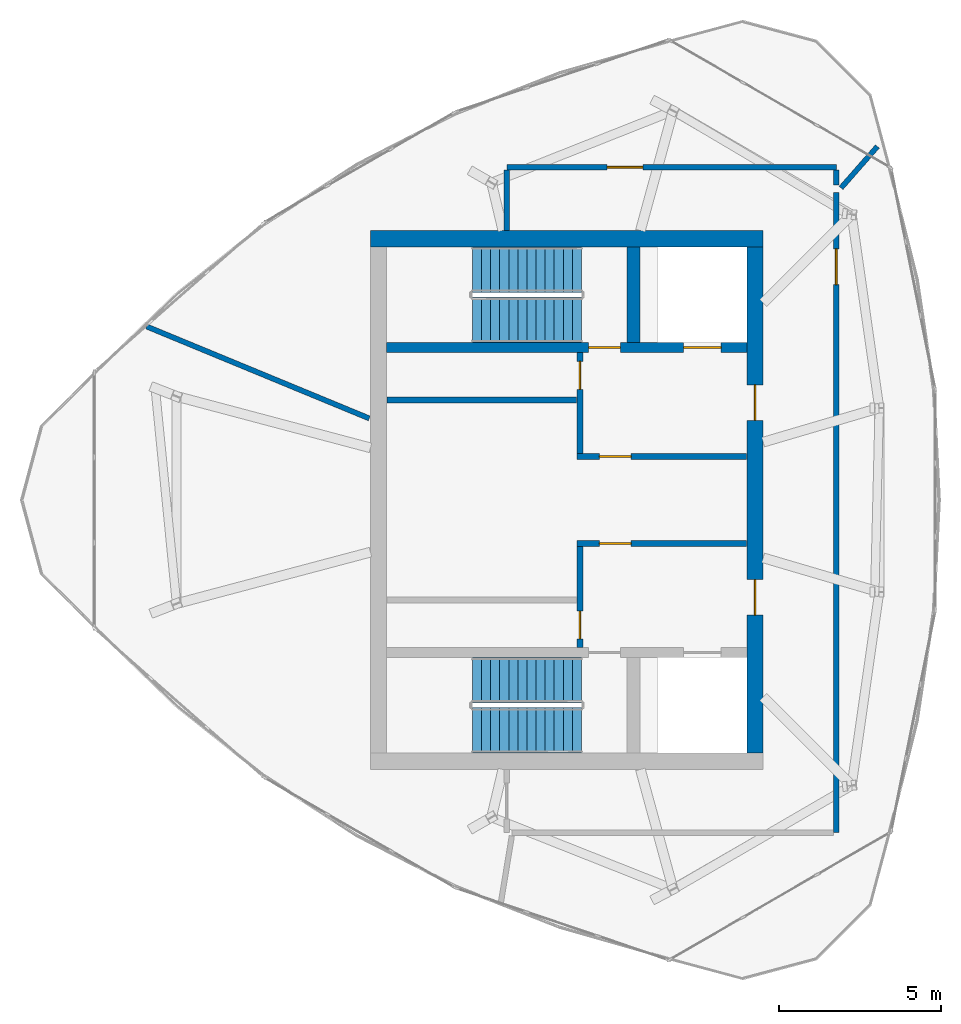
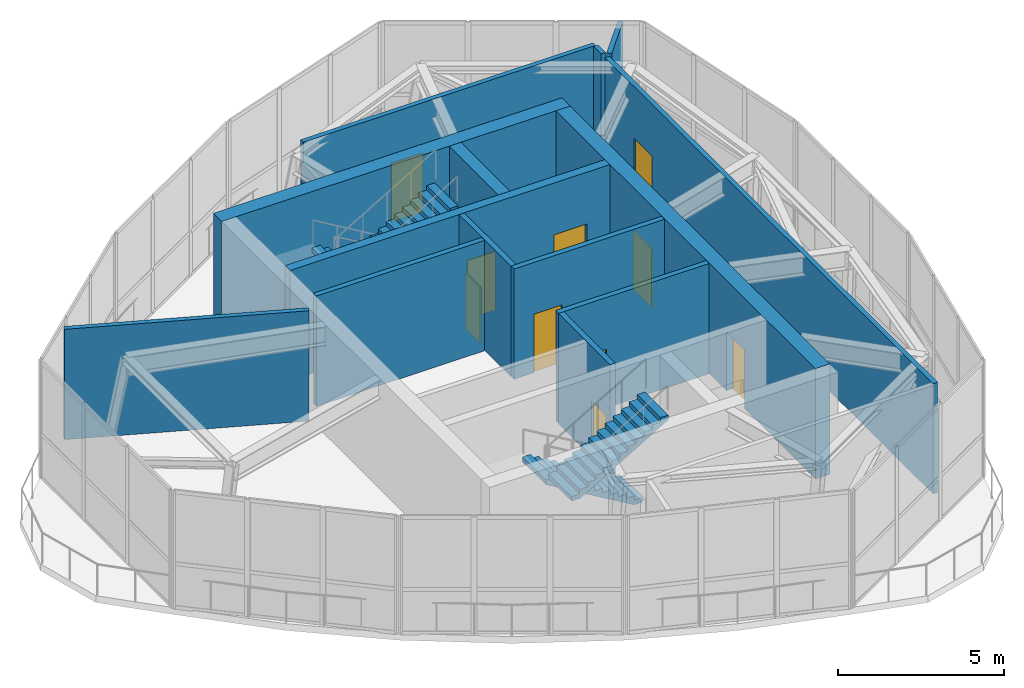
# One storey, part 7 of 9: 15 walls, 10 doors, 4 stair flights, 10 openings, 2 elements without a shape of their own.
"""IFC4 building model written with IfcOpenShell, lengths in metres."""

from ifc_helpers import new_model, si_unit, direction, frame, frame_2d, origin, place, context, subcontext, project, spatial, polyline, rectangle, outline, extrude, source, transform, mapped, material, layer, layer_set, type_object, element, fill, aggregate, save


model = new_model("IFC4")

# Units and contexts
model_context = context("Model", 3, precision=1e-05, world=origin(), true_north=direction((0.0, 1.0)))
body_context = subcontext(model_context, "Body", "Model", "MODEL_VIEW")
ifc_project = project(units=[si_unit("LENGTHUNIT", "METRE"), si_unit("AREAUNIT", "SQUARE_METRE"), si_unit("VOLUMEUNIT", "CUBIC_METRE"), si_unit("PLANEANGLEUNIT", "RADIAN"), si_unit("MASSUNIT", "GRAM", prefix="KILO")], contexts=[model_context])

# Site, building, storey
site_placement = place(None, origin())
site = spatial("IfcSite", under=ifc_project, at=site_placement, CompositionType="ELEMENT")
building_placement = place(site_placement, origin())
building = spatial("IfcBuilding", under=site, at=building_placement, Name="Qafzar Sky-Pleat Residences", CompositionType="ELEMENT")
storey_placement = place(building_placement, frame((0.0, 0.0, 266.10009765625)))
storey = spatial("IfcBuildingStorey", under=building, at=storey_placement, Name="L79 Crown", CompositionType="ELEMENT", Elevation=266.10009765625)

# Wall, opening, door
ifc_material_1 = material(Name="Acoustic gypsum plasterboard partition", Category="gypsum")
ifc_layer_1 = layer(ifc_material_1, 0.159912109375)
ifc_layer_set_1 = layer_set([ifc_layer_1], Name="Acoustic gypsum plasterboard partition")
wall_type_1 = type_object("IfcWallType", Name="PART-COR-160", PredefinedType="PARTITIONING", material=ifc_layer_set_1)
wall_1_placement = place(storey_placement, frame((38.64990234375, 35.470947265625, 0.0), z_axis=(0.0, 0.0, 1.0), x_axis=(0.0, -1.0, 0.0)))
wall_1 = element("IfcWall", 1, at=wall_1_placement, inside=storey, type_object=wall_type_1, Name="L79 Crown Partition Wall PART-L79_Crown-PW-001", PredefinedType="PARTITIONING", context=body_context, shape_type="SweptSolid", body=[
    extrude(rectangle(XDim=19.720947265625, YDim=0.159912109375, at=frame_2d((9.8603515625, 0.0))), origin(), (0.0, 0.0, 1.0), 4.0498046875),
])
opening_1_placement = place(wall_1_placement, frame((1.735107421875, 0.0, 0.0)))
opening_1 = element("IfcOpeningElement", 2, at=opening_1_placement, cuts=wall_1, Name="Opening ID-02", PredefinedType="OPENING", context=body_context, shape_type="SweptSolid", body=[
    extrude(rectangle(XDim=1.10009765625, YDim=2.14990234375, at=frame_2d((0.550048828125, 1.074951171875))), frame((0.0, 0.08984375, 0.0), z_axis=(0.0, -1.0, 0.0), x_axis=(1.0, 0.0, 0.0)), (0.0, 0.0, 1.0), 0.179931640625),
])
ifc_material_2 = material(Name="Timber-faced fire door", Category="wood")
door_type_1 = type_object("IfcDoorType", Name="DR-FFL-1100", OperationType="NOTDEFINED", PredefinedType="DOOR", material=ifc_material_2)
shared_shape_1 = source(origin(), body_context, "Body", "SweptSolid", [
    extrude(rectangle(XDim=1.10009765625, YDim=2.14990234375, at=frame_2d((0.550048828125, 1.074951171875))), frame((0.0, 0.02490234375, 0.0), z_axis=(0.0, -1.0, 0.0), x_axis=(1.0, 0.0, 0.0)), (0.0, 0.0, 1.0), 0.050048828125),
])
door_1_placement = place(opening_1_placement, origin())
door_1 = element("IfcDoor", 3, at=door_1_placement, inside=storey, type_object=door_type_1, Name="L79 Crown Crown Faceted Curtain-Wall Maintenance Plant Room Door", OperationType="SINGLE_SWING_LEFT", OverallHeight=2.14990234375, OverallWidth=1.10009765625, PredefinedType="DOOR", context=body_context, shape_type="MappedRepresentation", body=[
    mapped(shared_shape_1, transform((0.0, 0.0, 0.0), x_axis=(1.0, 0.0, 0.0), y_axis=(0.0, 1.0, 0.0), z_axis=(0.0, 0.0, 1.0), scale=1.0)),
])
fill(opening_1, door_1)

wall_2_placement = place(storey_placement, frame((38.64990234375, 36.25, 0.0), z_axis=(0.0, 0.0, 1.0), x_axis=(-1.0, 0.0, 0.0)))
wall_2 = element("IfcWall", 4, at=wall_2_placement, inside=storey, type_object=wall_type_1, Name="L79 Crown Partition Wall PART-L79_Crown-PW-002", PredefinedType="PARTITIONING", context=body_context, shape_type="SweptSolid", body=[
    extrude(rectangle(XDim=10.14990234375, YDim=0.159912109375, at=frame_2d((5.074951171875, 0.0))), origin(), (0.0, 0.0, 1.0), 4.0498046875),
])
opening_2_placement = place(wall_2_placement, frame((5.9599609375, 0.0, 0.0)))
opening_2 = element("IfcOpeningElement", 5, at=opening_2_placement, cuts=wall_2, Name="Opening ID-02", PredefinedType="OPENING", context=body_context, shape_type="SweptSolid", body=[
    extrude(rectangle(XDim=1.10009765625, YDim=2.14990234375, at=frame_2d((0.550048828125, 1.074951171875))), frame((0.0, 0.08984375, 0.0), z_axis=(0.0, -1.0, 0.0), x_axis=(1.0, 0.0, 0.0)), (0.0, 0.0, 1.0), 0.179931640625),
])
door_2_placement = place(opening_2_placement, origin())
door_2 = element("IfcDoor", 6, at=door_2_placement, inside=storey, type_object=door_type_1, Name="L79 Crown Crown BMS and Telemetry Mechanical Room Door", OperationType="SINGLE_SWING_RIGHT", OverallHeight=2.14990234375, OverallWidth=1.10009765625, PredefinedType="DOOR", context=body_context, shape_type="MappedRepresentation", body=[
    mapped(shared_shape_1, transform((0.0, 0.0, 0.0), x_axis=(1.0, 0.0, 0.0), y_axis=(0.0, 1.0, 0.0), z_axis=(0.0, 0.0, 1.0), scale=1.0)),
])
fill(opening_2, door_2)

# Walls
wall_3_placement = place(storey_placement, frame((17.407470703125, 31.34375, 0.0), z_axis=(0.0, 0.0, 1.0), x_axis=(0.92431974827, -0.381618923743, 0.0)))
element("IfcWall", 7, at=wall_3_placement, inside=storey, type_object=wall_type_1, Name="L79 Crown Partition Wall PART-L79_Crown-PW-005", PredefinedType="PARTITIONING", context=body_context, shape_type="SweptSolid", body=[
    extrude(rectangle(XDim=7.416015625, YDim=0.159912109375, at=frame_2d((3.7080078125, 0.0))), origin(), (0.0, 0.0, 1.0), 4.0498046875),
])
wall_4_placement = place(storey_placement, frame((28.5, 34.30810546875, 0.0), z_axis=(0.0, 0.0, 1.0), x_axis=(0.0, 1.0, 0.0)))
element("IfcWall", 8, at=wall_4_placement, inside=storey, type_object=wall_type_1, Name="L79 Crown Partition Wall PART-L79_Crown-PW-007", PredefinedType="PARTITIONING", context=body_context, shape_type="SweptSolid", body=[
    extrude(rectangle(XDim=1.85400390625, YDim=0.159912109375, at=frame_2d((0.927001953125, 0.0))), origin(), (0.0, 0.0, 1.0), 3.31787109375),
])
wall_5_placement = place(storey_placement, frame((38.79541015625, 35.613525390625, 0.0), z_axis=(0.0, 0.0, 1.0), x_axis=(0.659905949222, 0.751348213667, 0.0)))
element("IfcWall", 9, at=wall_5_placement, inside=storey, type_object=wall_type_1, Name="L79 Crown Partition Wall PART-L79_Crown-PW-008", PredefinedType="PARTITIONING", context=body_context, shape_type="SweptSolid", body=[
    extrude(rectangle(XDim=1.70068359375, YDim=0.159912109375, at=frame_2d((0.850341796875, 0.0))), origin(), (0.0, 0.0, 1.0), 4.0498046875),
])
wall_6_placement = place(storey_placement, frame((38.64990234375, 35.706298828125, 0.0), z_axis=(0.0, 0.0, 1.0), x_axis=(0.0, 1.0, 0.0)))
element("IfcWall", 10, at=wall_6_placement, inside=storey, type_object=wall_type_1, Name="L79 Crown Partition Wall PART-L79_Crown-PW-009", PredefinedType="PARTITIONING", context=body_context, shape_type="SweptSolid", body=[
    extrude(rectangle(XDim=0.455810546875, YDim=0.159912109375, at=frame_2d((0.22802734375, 0.0))), origin(), (0.0, 0.0, 1.0), 4.0498046875),
])

# Wall, opening, door
ifc_material_3 = material(Name="Concrete blockwork partition", Category="masonry")
ifc_layer_2 = layer(ifc_material_3, 0.179931640625)
ifc_layer_set_2 = layer_set([ifc_layer_2], Name="Concrete blockwork partition")
wall_type_2 = type_object("IfcWallType", Name="PART-SHAFT-180", PredefinedType="PARTITIONING", material=ifc_layer_set_2)
wall_7_placement = place(storey_placement, frame((30.75, 21.4599609375, 0.0), z_axis=(0.0, 0.0, 1.0), x_axis=(0.0, 1.0, 0.0)))
wall_7 = element("IfcWall", 11, at=wall_7_placement, inside=storey, type_object=wall_type_2, Name="L79 Crown Partition Wall PART-L79_Crown-FFL1-W", PredefinedType="PARTITIONING", context=body_context, shape_type="SweptSolid", body=[
    extrude(rectangle(XDim=3.110107421875, YDim=0.179931640625, at=frame_2d((1.55517578125, 0.0))), origin(), (0.0, 0.0, 1.0), 4.0498046875),
])
opening_3_placement = place(wall_7_placement, frame((0.260009765625, 0.0, 0.0)))
opening_3 = element("IfcOpeningElement", 12, at=opening_3_placement, cuts=wall_7, Name="Opening ID-09", PredefinedType="OPENING", context=body_context, shape_type="SweptSolid", body=[
    extrude(rectangle(XDim=0.860107421875, YDim=2.050048828125, at=frame_2d((0.43017578125, 1.02490234375))), frame((0.0, 0.10009765625, 0.0), z_axis=(0.0, -1.0, 0.0), x_axis=(1.0, 0.0, 0.0)), (0.0, 0.0, 1.0), 0.199951171875),
])
door_type_2 = type_object("IfcDoorType", Name="DR-SVC-860", OperationType="NOTDEFINED", PredefinedType="DOOR", material=ifc_material_2)
shared_shape_2 = source(origin(), body_context, "Body", "SweptSolid", [
    extrude(rectangle(XDim=0.860107421875, YDim=2.050048828125, at=frame_2d((0.43017578125, 1.02490234375))), frame((0.0, 0.02490234375, 0.0), z_axis=(0.0, -1.0, 0.0), x_axis=(1.0, 0.0, 0.0)), (0.0, 0.0, 1.0), 0.050048828125),
])
door_3_placement = place(opening_3_placement, origin())
door_3 = element("IfcDoor", 13, at=door_3_placement, inside=storey, type_object=door_type_2, Name="L79 Crown South Core Cupboard Door", OperationType="SINGLE_SWING_LEFT", OverallHeight=2.050048828125, OverallWidth=0.860107421875, PredefinedType="DOOR", context=body_context, shape_type="MappedRepresentation", body=[
    mapped(shared_shape_2, transform((0.0, 0.0, 0.0), x_axis=(1.0, 0.0, 0.0), y_axis=(0.0, 1.0, 0.0), z_axis=(0.0, 0.0, 1.0), scale=1.0)),
])
fill(opening_3, door_3)

wall_8_placement = place(storey_placement, frame((30.669921875, 24.659912109375, 0.0), z_axis=(0.0, 0.0, 1.0), x_axis=(1.0, 0.0, 0.0)))
wall_8 = element("IfcWall", 14, at=wall_8_placement, inside=storey, type_object=wall_type_2, Name="L79 Crown Partition Wall PART-L79_Crown-FFL1-N", PredefinedType="PARTITIONING", context=body_context, shape_type="SweptSolid", body=[
    extrude(rectangle(XDim=5.219970703125, YDim=0.179931640625, at=frame_2d((2.60986328125, 0.0))), origin(), (0.0, 0.0, 1.0), 4.0498046875),
])
opening_4_placement = place(wall_8_placement, frame((0.679931640625, 0.0, 0.0)))
opening_4 = element("IfcOpeningElement", 15, at=opening_4_placement, cuts=wall_8, Name="Opening ID-01", PredefinedType="OPENING", context=body_context, shape_type="SweptSolid", body=[
    extrude(rectangle(XDim=0.97998046875, YDim=2.14990234375, at=frame_2d((0.489990234375, 1.074951171875))), frame((0.0, 0.10009765625, 0.0), z_axis=(0.0, -1.0, 0.0), x_axis=(1.0, 0.0, 0.0)), (0.0, 0.0, 1.0), 0.199951171875),
])
door_type_3 = type_object("IfcDoorType", Name="DR-STAIR-980", OperationType="NOTDEFINED", PredefinedType="DOOR", material=ifc_material_2)
shared_shape_3 = source(origin(), body_context, "Body", "SweptSolid", [
    extrude(rectangle(XDim=0.97998046875, YDim=2.14990234375, at=frame_2d((0.489990234375, 1.074951171875))), frame((0.0, 0.02490234375, 0.0), z_axis=(0.0, -1.0, 0.0), x_axis=(1.0, 0.0, 0.0)), (0.0, 0.0, 1.0), 0.050048828125),
])
door_4_placement = place(opening_4_placement, origin())
door_4 = element("IfcDoor", 16, at=door_4_placement, inside=storey, type_object=door_type_3, Name="L79 Crown Lift Lobby to South Firefighting Lobby Door", OperationType="SINGLE_SWING_RIGHT", OverallHeight=2.14990234375, OverallWidth=0.97998046875, PredefinedType="DOOR", context=body_context, shape_type="MappedRepresentation", body=[
    mapped(shared_shape_3, transform((0.0, 0.0, 0.0), x_axis=(1.0, 0.0, 0.0), y_axis=(0.0, 1.0, 0.0), z_axis=(0.0, 0.0, 1.0), scale=1.0)),
])
fill(opening_4, door_4)

wall_9_placement = place(storey_placement, frame((30.75, 27.429931640625, 0.0), z_axis=(0.0, 0.0, 1.0), x_axis=(0.0, 1.0, 0.0)))
wall_9 = element("IfcWall", 17, at=wall_9_placement, inside=storey, type_object=wall_type_2, Name="L79 Crown Partition Wall PART-L79_Crown-FFL2-W", PredefinedType="PARTITIONING", context=body_context, shape_type="SweptSolid", body=[
    extrude(rectangle(XDim=3.110107421875, YDim=0.179931640625, at=frame_2d((1.55517578125, 0.0))), origin(), (0.0, 0.0, 1.0), 4.0498046875),
])
opening_5_placement = place(wall_9_placement, frame((1.97998046875, 0.0, 0.0)))
opening_5 = element("IfcOpeningElement", 18, at=opening_5_placement, cuts=wall_9, Name="Opening ID-09", PredefinedType="OPENING", context=body_context, shape_type="SweptSolid", body=[
    extrude(rectangle(XDim=0.860107421875, YDim=2.050048828125, at=frame_2d((0.43017578125, 1.02490234375))), frame((0.0, 0.10009765625, 0.0), z_axis=(0.0, -1.0, 0.0), x_axis=(1.0, 0.0, 0.0)), (0.0, 0.0, 1.0), 0.199951171875),
])
door_5_placement = place(opening_5_placement, origin())
door_5 = element("IfcDoor", 19, at=door_5_placement, inside=storey, type_object=door_type_2, Name="L79 Crown North Core Cupboard Door", OperationType="SINGLE_SWING_LEFT", OverallHeight=2.050048828125, OverallWidth=0.860107421875, PredefinedType="DOOR", context=body_context, shape_type="MappedRepresentation", body=[
    mapped(shared_shape_2, transform((0.0, 0.0, 0.0), x_axis=(1.0, 0.0, 0.0), y_axis=(0.0, 1.0, 0.0), z_axis=(0.0, 0.0, 1.0), scale=1.0)),
])
fill(opening_5, door_5)

wall_10_placement = place(storey_placement, frame((30.669921875, 27.340087890625, 0.0), z_axis=(0.0, 0.0, 1.0), x_axis=(1.0, 0.0, 0.0)))
wall_10 = element("IfcWall", 20, at=wall_10_placement, inside=storey, type_object=wall_type_2, Name="L79 Crown Partition Wall PART-L79_Crown-FFL2-S", PredefinedType="PARTITIONING", context=body_context, shape_type="SweptSolid", body=[
    extrude(rectangle(XDim=5.219970703125, YDim=0.179931640625, at=frame_2d((2.60986328125, 0.0))), origin(), (0.0, 0.0, 1.0), 4.0498046875),
])
opening_6_placement = place(wall_10_placement, frame((0.679931640625, 0.0, 0.0)))
opening_6 = element("IfcOpeningElement", 21, at=opening_6_placement, cuts=wall_10, Name="Opening ID-01", PredefinedType="OPENING", context=body_context, shape_type="SweptSolid", body=[
    extrude(rectangle(XDim=0.97998046875, YDim=2.14990234375, at=frame_2d((0.489990234375, 1.074951171875))), frame((0.0, 0.10009765625, 0.0), z_axis=(0.0, -1.0, 0.0), x_axis=(1.0, 0.0, 0.0)), (0.0, 0.0, 1.0), 0.199951171875),
])
door_6_placement = place(opening_6_placement, origin())
door_6 = element("IfcDoor", 22, at=door_6_placement, inside=storey, type_object=door_type_3, Name="L79 Crown Lift Lobby to North Firefighting Lobby Door", OperationType="SINGLE_SWING_RIGHT", OverallHeight=2.14990234375, OverallWidth=0.97998046875, PredefinedType="DOOR", context=body_context, shape_type="MappedRepresentation", body=[
    mapped(shared_shape_3, transform((0.0, 0.0, 0.0), x_axis=(1.0, 0.0, 0.0), y_axis=(0.0, 1.0, 0.0), z_axis=(0.0, 0.0, 1.0), scale=1.0)),
])
fill(opening_6, door_6)

# Wall
wall_11_placement = place(storey_placement, frame((24.81005859375, 29.080078125, 0.0), z_axis=(0.0, 0.0, 1.0), x_axis=(1.0, 0.0, 0.0)))
element("IfcWall", 23, at=wall_11_placement, inside=storey, type_object=wall_type_2, Name="L79 Crown Partition Wall PART-L79_Crown-P46-N", PredefinedType="PARTITIONING", context=body_context, shape_type="SweptSolid", body=[
    extrude(rectangle(XDim=5.83984375, YDim=0.179931640625, at=frame_2d((2.919921875, 0.0))), origin(), (0.0, 0.0, 1.0), 4.0498046875),
])

# Wall, openings, doors
ifc_material_4 = material(Name="Concrete C60/75", Category="concrete")
ifc_layer_3 = layer(ifc_material_4, 0.300048828125)
ifc_layer_set_3 = layer_set([ifc_layer_3], Name="Concrete C60/75")
wall_type_3 = type_object("IfcWallType", Name="WALL-SHEAR-300", PredefinedType="SHEAR", material=ifc_layer_set_3)
wall_12_placement = place(storey_placement, frame((24.800048828125, 30.699951171875, 0.0), z_axis=(0.0, 0.0, 1.0), x_axis=(1.0, 0.0, 0.0)))
wall_12 = element("IfcWall", 24, at=wall_12_placement, inside=storey, type_object=wall_type_3, Name="L79 Crown Stair ST2 and FF2 Shaft South Wall", PredefinedType="SHEAR", context=body_context, shape_type="SweptSolid", body=[
    extrude(rectangle(XDim=11.099853515625, YDim=0.300048828125, at=frame_2d((5.5498046875, 0.0))), origin(), (0.0, 0.0, 1.0), 4.0498046875),
])
opening_7_placement = place(wall_12_placement, frame((6.219970703125, 0.0, 0.0)))
opening_7 = element("IfcOpeningElement", 25, at=opening_7_placement, cuts=wall_12, Name="Opening ID-01", PredefinedType="OPENING", context=body_context, shape_type="SweptSolid", body=[
    extrude(rectangle(XDim=0.97998046875, YDim=2.14990234375, at=frame_2d((0.489990234375, 1.074951171875))), frame((0.0, 0.16015625, 0.0), z_axis=(0.0, -1.0, 0.0), x_axis=(1.0, 0.0, 0.0)), (0.0, 0.0, 1.0), 0.320068359375),
])
opening_8_placement = place(wall_12_placement, frame((9.14990234375, 0.0, 0.0)))
opening_8 = element("IfcOpeningElement", 26, at=opening_8_placement, cuts=wall_12, Name="Opening LD-02", PredefinedType="OPENING", context=body_context, shape_type="SweptSolid", body=[
    extrude(rectangle(XDim=1.14990234375, YDim=2.14990234375, at=frame_2d((0.574951171875, 1.074951171875))), frame((0.0, 0.16015625, 0.0), z_axis=(0.0, -1.0, 0.0), x_axis=(1.0, 0.0, 0.0)), (0.0, 0.0, 1.0), 0.320068359375),
])
door_7_placement = place(opening_7_placement, origin())
door_7 = element("IfcDoor", 27, at=door_7_placement, inside=storey, type_object=door_type_3, Name="L79 Crown Stair ST2 Fire Door", OperationType="SINGLE_SWING_RIGHT", OverallHeight=2.14990234375, OverallWidth=0.97998046875, PredefinedType="DOOR", context=body_context, shape_type="MappedRepresentation", body=[
    mapped(shared_shape_3, transform((0.0, 0.0, 0.0), x_axis=(1.0, 0.0, 0.0), y_axis=(0.0, 1.0, 0.0), z_axis=(0.0, 0.0, 1.0), scale=1.0)),
])
fill(opening_7, door_7)
ifc_material_5 = material(Name="Stainless steel sliding landing door", Category="steel")
door_type_4 = type_object("IfcDoorType", Name="DR-LIFT-FF", OperationType="DOUBLE_DOOR_SLIDING", PredefinedType="DOOR", material=ifc_material_5)
shared_shape_4 = source(origin(), body_context, "Body", "SweptSolid", [
    extrude(rectangle(XDim=1.14990234375, YDim=2.14990234375, at=frame_2d((0.574951171875, 1.074951171875))), frame((0.0, 0.02490234375, 0.0), z_axis=(0.0, -1.0, 0.0), x_axis=(1.0, 0.0, 0.0)), (0.0, 0.0, 1.0), 0.050048828125),
])
door_8_placement = place(opening_8_placement, origin())
door_8 = element("IfcDoor", 28, at=door_8_placement, inside=storey, type_object=door_type_4, Name="L79 Crown Firefighting Lift FF2 Landing Door", OperationType="DOUBLE_DOOR_SLIDING", OverallHeight=2.14990234375, OverallWidth=1.14990234375, PredefinedType="DOOR", context=body_context, shape_type="MappedRepresentation", body=[
    mapped(shared_shape_4, transform((0.0, 0.0, 0.0), x_axis=(1.0, 0.0, 0.0), y_axis=(0.0, 1.0, 0.0), z_axis=(0.0, 0.0, 1.0), scale=1.0)),
])
fill(opening_8, door_8)

# Walls
ifc_layer_4 = layer(ifc_material_4, 0.39990234375)
ifc_layer_set_4 = layer_set([ifc_layer_4], Name="Concrete C60/75")
wall_type_4 = type_object("IfcWallType", Name="WALL-SHEAR-400", PredefinedType="SHEAR", material=ifc_layer_set_4)
wall_13_placement = place(storey_placement, frame((32.39990234375, 30.85009765625, 0.0), z_axis=(0.0, 0.0, 1.0), x_axis=(0.0, 1.0, 0.0)))
element("IfcWall", 29, at=wall_13_placement, inside=storey, type_object=wall_type_4, Name="L79 Crown Stair ST2 East Dividing Wall", PredefinedType="SHEAR", context=body_context, shape_type="SweptSolid", body=[
    extrude(rectangle(XDim=2.949951171875, YDim=0.39990234375, at=frame_2d((1.47509765625, 0.0))), origin(), (0.0, 0.0, 1.0), 4.0498046875),
])
ifc_layer_5 = layer(ifc_material_4, 0.5)
ifc_layer_set_5 = layer_set([ifc_layer_5], Name="Concrete C60/75")
wall_type_5 = type_object("IfcWallType", Name="WALL-SHEAR-500", PredefinedType="SHEAR", material=ifc_layer_set_5)
wall_14_placement = place(storey_placement, frame((36.39990234375, 34.050048828125, 0.0), z_axis=(0.0, 0.0, 1.0), x_axis=(-1.0, 0.0, 0.0)))
element("IfcWall", 30, at=wall_14_placement, inside=storey, type_object=wall_type_5, Name="L79 Crown CORE wall N", PredefinedType="SHEAR", context=body_context, shape_type="SweptSolid", body=[
    extrude(rectangle(XDim=12.099853515625, YDim=0.5, at=frame_2d((6.0498046875, 0.0))), origin(), (0.0, 0.0, 1.0), 4.0498046875),
])

# Wall, openings, doors
wall_15_placement = place(storey_placement, frame((36.14990234375, 18.199951171875, 0.0), z_axis=(0.0, 0.0, 1.0), x_axis=(0.0, 1.0, 0.0)))
wall_15 = element("IfcWall", 31, at=wall_15_placement, inside=storey, type_object=wall_type_5, Name="L79 Crown CORE wall E", PredefinedType="SHEAR", context=body_context, shape_type="SweptSolid", body=[
    extrude(rectangle(XDim=15.60009765625, YDim=0.5, at=frame_2d((7.800048828125, 0.0))), origin(), (0.0, 0.0, 1.0), 4.0498046875),
])
opening_9_placement = place(wall_15_placement, frame((4.25, 0.0, 0.0)))
opening_9 = element("IfcOpeningElement", 32, at=opening_9_placement, cuts=wall_15, Name="Opening ID-02", PredefinedType="OPENING", context=body_context, shape_type="SweptSolid", body=[
    extrude(rectangle(XDim=1.10009765625, YDim=2.14990234375, at=frame_2d((0.550048828125, 1.074951171875))), frame((0.0, 0.260009765625, 0.0), z_axis=(0.0, -1.0, 0.0), x_axis=(1.0, 0.0, 0.0)), (0.0, 0.0, 1.0), 0.52001953125),
])
opening_10_placement = place(wall_15_placement, frame((10.25, 0.0, 0.0)))
opening_10 = element("IfcOpeningElement", 33, at=opening_10_placement, cuts=wall_15, Name="Opening ID-02", PredefinedType="OPENING", context=body_context, shape_type="SweptSolid", body=[
    extrude(rectangle(XDim=1.10009765625, YDim=2.14990234375, at=frame_2d((0.550048828125, 1.074951171875))), frame((0.0, 0.260009765625, 0.0), z_axis=(0.0, -1.0, 0.0), x_axis=(1.0, 0.0, 0.0)), (0.0, 0.0, 1.0), 0.52001953125),
])
door_9_placement = place(opening_9_placement, origin())
door_9 = element("IfcDoor", 34, at=door_9_placement, inside=storey, type_object=door_type_1, Name="L79 Crown Firefighting Lobby South Corridor Door", OperationType="SINGLE_SWING_LEFT", OverallHeight=2.14990234375, OverallWidth=1.10009765625, PredefinedType="DOOR", context=body_context, shape_type="MappedRepresentation", body=[
    mapped(shared_shape_1, transform((0.0, 0.0, 0.0), x_axis=(1.0, 0.0, 0.0), y_axis=(0.0, 1.0, 0.0), z_axis=(0.0, 0.0, 1.0), scale=1.0)),
])
fill(opening_9, door_9)
door_10_placement = place(opening_10_placement, origin())
door_10 = element("IfcDoor", 35, at=door_10_placement, inside=storey, type_object=door_type_1, Name="L79 Crown Firefighting Lobby North Corridor Door", OperationType="SINGLE_SWING_RIGHT", OverallHeight=2.14990234375, OverallWidth=1.10009765625, PredefinedType="DOOR", context=body_context, shape_type="MappedRepresentation", body=[
    mapped(shared_shape_1, transform((0.0, 0.0, 0.0), x_axis=(1.0, 0.0, 0.0), y_axis=(0.0, 1.0, 0.0), z_axis=(0.0, 0.0, 1.0), scale=1.0)),
])
fill(opening_10, door_10)

# Stair, stair flights
ifc_material_6 = material(Name="Concrete C40/50", Category="concrete")
stair_type = type_object("IfcStairType", Name="STAIR-H430", PredefinedType="HALF_TURN_STAIR", material=ifc_material_6)
stair_1_placement = place(storey_placement, origin())
stair_1 = element("IfcStair", 36, at=stair_1_placement, inside=storey, type_object=stair_type, Name="L79 Crown Protected Exit Stair ST1", PredefinedType="HALF_TURN_STAIR")
stair_flight_type = type_object("IfcStairFlightType", Name="FLIGHT-H430", PredefinedType="STRAIGHT", material=ifc_material_6)
shared_shape_5 = source(origin(), body_context, "Body", "SweptSolid", [
    extrude(outline(polyline([(0.0, 0.0), (0.0, 0.165283203125), (0.280029296875, 0.165283203125), (0.280029296875, 0.330810546875), (0.56005859375, 0.330810546875), (0.56005859375, 0.49609375), (0.840087890625, 0.49609375), (0.840087890625, 0.66162109375), (1.1201171875, 0.66162109375), (1.1201171875, 0.826904296875), (1.39990234375, 0.826904296875), (1.39990234375, 0.9921875), (1.679931640625, 0.9921875), (1.679931640625, 1.15771484375), (1.9599609375, 1.15771484375), (1.9599609375, 1.322998046875), (2.239990234375, 1.322998046875), (2.239990234375, 1.488525390625), (2.52001953125, 1.488525390625), (2.52001953125, 1.65380859375), (2.800048828125, 1.65380859375), (2.800048828125, 1.8193359375), (3.080078125, 1.8193359375), (3.080078125, 1.984619140625), (3.360107421875, 1.984619140625), (3.360107421875, 2.14990234375), (3.360107421875, 1.810546875), (0.294677734375, 0.0), (0.0, 0.0)])), frame((0.0, 0.699951171875, 0.0), z_axis=(0.0, -1.0, 0.0), x_axis=(1.0, 0.0, 0.0)), (0.0, 0.0, 1.0), 1.39990234375),
])
stair_flight_1_placement = place(storey_placement, frame((30.800048828125, 20.449951171875, 0.0), z_axis=(0.0, 0.0, 1.0), x_axis=(-1.0, 0.0, 0.0)))
stair_flight_1 = element("IfcStairFlight", 37, at=stair_flight_1_placement, type_object=stair_flight_type, Name="ST1 flight 1", NumberOfRisers=13, NumberOfTreads=12, PredefinedType="STRAIGHT", RiserHeight=0.165384615, TreadLength=0.28, context=body_context, shape_type="MappedRepresentation", body=[
    mapped(shared_shape_5, transform((0.0, 0.0, 0.0), x_axis=(1.0, 0.0, 0.0), y_axis=(0.0, 1.0, 0.0), z_axis=(0.0, 0.0, 1.0), scale=1.0)),
])
stair_flight_2_placement = place(storey_placement, frame((27.43994140625, 18.89990234375, 2.14990234375), z_axis=(0.0, 0.0, 1.0), x_axis=(1.0, 0.0, 0.0)))
stair_flight_2 = element("IfcStairFlight", 38, at=stair_flight_2_placement, type_object=stair_flight_type, Name="ST1 flight 2", NumberOfRisers=13, NumberOfTreads=12, PredefinedType="STRAIGHT", RiserHeight=0.165384615, TreadLength=0.28, context=body_context, shape_type="MappedRepresentation", body=[
    mapped(shared_shape_5, transform((0.0, 0.0, 0.0), x_axis=(1.0, 0.0, 0.0), y_axis=(0.0, 1.0, 0.0), z_axis=(0.0, 0.0, 1.0), scale=1.0)),
])
aggregate(stair_1, [stair_flight_1, stair_flight_2])

stair_2_placement = place(storey_placement, origin())
stair_2 = element("IfcStair", 39, at=stair_2_placement, inside=storey, type_object=stair_type, Name="L79 Crown Protected Exit Stair ST2", PredefinedType="HALF_TURN_STAIR")
stair_flight_3_placement = place(storey_placement, frame((30.800048828125, 33.10009765625, 0.0), z_axis=(0.0, 0.0, 1.0), x_axis=(-1.0, 0.0, 0.0)))
stair_flight_3 = element("IfcStairFlight", 40, at=stair_flight_3_placement, type_object=stair_flight_type, Name="ST2 flight 1", NumberOfRisers=13, NumberOfTreads=12, PredefinedType="STRAIGHT", RiserHeight=0.165384615, TreadLength=0.28, context=body_context, shape_type="MappedRepresentation", body=[
    mapped(shared_shape_5, transform((0.0, 0.0, 0.0), x_axis=(1.0, 0.0, 0.0), y_axis=(0.0, 1.0, 0.0), z_axis=(0.0, 0.0, 1.0), scale=1.0)),
])
stair_flight_4_placement = place(storey_placement, frame((27.43994140625, 31.550048828125, 2.14990234375), z_axis=(0.0, 0.0, 1.0), x_axis=(1.0, 0.0, 0.0)))
stair_flight_4 = element("IfcStairFlight", 41, at=stair_flight_4_placement, type_object=stair_flight_type, Name="ST2 flight 2", NumberOfRisers=13, NumberOfTreads=12, PredefinedType="STRAIGHT", RiserHeight=0.165384615, TreadLength=0.28, context=body_context, shape_type="MappedRepresentation", body=[
    mapped(shared_shape_5, transform((0.0, 0.0, 0.0), x_axis=(1.0, 0.0, 0.0), y_axis=(0.0, 1.0, 0.0), z_axis=(0.0, 0.0, 1.0), scale=1.0)),
])
aggregate(stair_2, [stair_flight_3, stair_flight_4])

save(model, "model.ifc")
